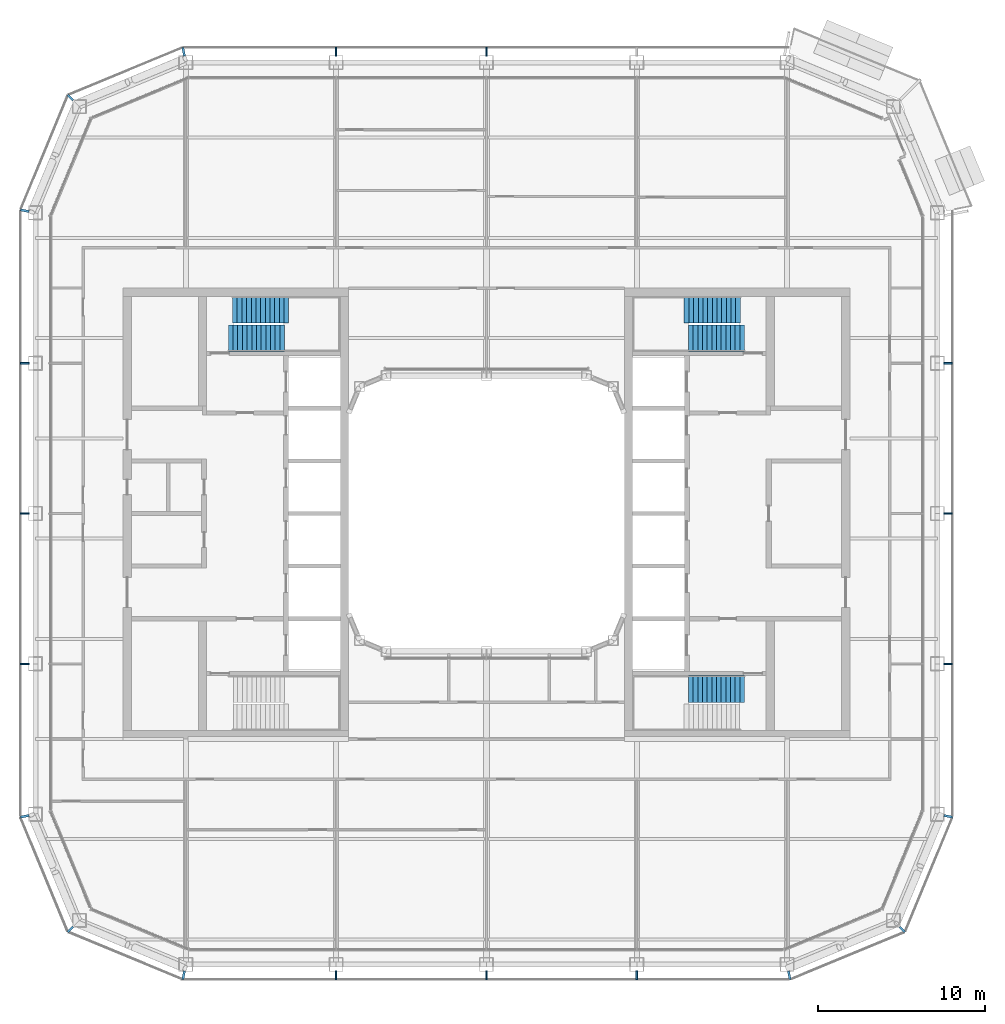
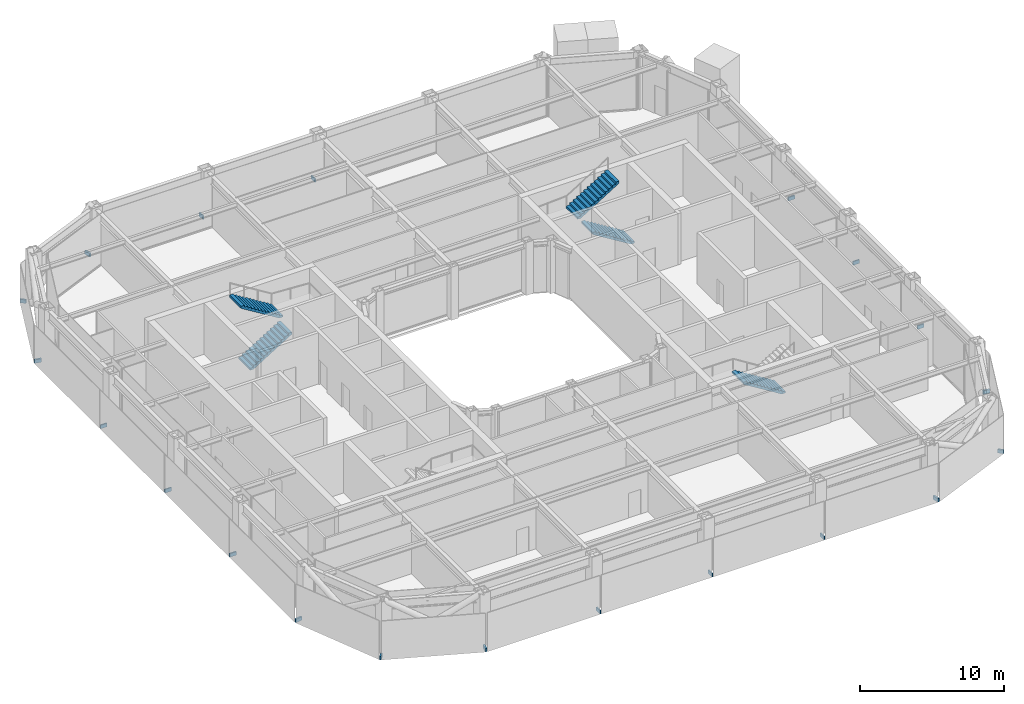
# One storey, part 16 of 23: 20 discrete accessories, 5 stair flights, 3 elements without a shape of their own.
"""IFC4 building model written with IfcOpenShell, lengths in metres."""

from ifc_helpers import new_model, si_unit, direction, frame, origin, origin_2d, place, context, subcontext, project, spatial, polyline, rectangle, outline, extrude, material, type_object, element, aggregate, save


model = new_model("IFC4")

# Units and contexts
model_context = context("Model", 3, precision=1e-05, world=origin(), true_north=direction((0.0, 1.0)))
body_context = subcontext(model_context, "Body", "Model", "MODEL_VIEW")
ifc_project = project(units=[si_unit("LENGTHUNIT", "METRE"), si_unit("AREAUNIT", "SQUARE_METRE"), si_unit("VOLUMEUNIT", "CUBIC_METRE"), si_unit("PLANEANGLEUNIT", "RADIAN"), si_unit("MASSUNIT", "GRAM", prefix="KILO")], contexts=[model_context])

# Site, building, storey
site_placement = place(None, origin())
site = spatial("IfcSite", under=ifc_project, at=site_placement, CompositionType="ELEMENT")
building_placement = place(site_placement, origin())
building = spatial("IfcBuilding", under=site, at=building_placement, Name="Siwar Civic Tower", CompositionType="ELEMENT")
storey_placement = place(building_placement, frame((0.0, 0.0, 206.199951171875)))
storey = spatial("IfcBuildingStorey", under=building, at=storey_placement, Name="L44", CompositionType="ELEMENT", Elevation=206.199951171875)

# Stair, stair flights
ifc_material_1 = material(Name="Concrete C40/50", Category="concrete")
stair_type = type_object("IfcStairType", Name="CORE-STAIR", PredefinedType="TWO_STRAIGHT_RUN_STAIR", material=ifc_material_1)
stair_1_placement = place(storey_placement, origin())
stair_1 = element("IfcStair", 1, at=stair_1_placement, inside=storey, type_object=stair_type, Name="Exit stair ST1", PredefinedType="TWO_STRAIGHT_RUN_STAIR")
ifc_material_2 = material(Name="Concrete C40/50", Category="concrete")
stair_flight_type = type_object("IfcStairFlightType", Name="CORE-STAIR-FLIGHT", PredefinedType="STRAIGHT", material=ifc_material_2)
stair_flight_1_placement = place(storey_placement, frame((-15.449951171875, 10.5, 0.0), z_axis=(0.0, 0.0, 1.0), x_axis=(1.0, 0.0, 0.0)))
stair_flight_1 = element("IfcStairFlight", 2, at=stair_flight_1_placement, type_object=stair_flight_type, Name="ST1 flight 1", NumberOfRisers=13, NumberOfTreads=12, PredefinedType="STRAIGHT", RiserHeight=0.173076923, TreadLength=0.28, context=body_context, shape_type="SweptSolid", body=[
    extrude(outline(polyline([(0.0, 0.0), (0.0, 0.173095703125), (0.280029296875, 0.173095703125), (0.280029296875, 0.34619140625), (0.56005859375, 0.34619140625), (0.56005859375, 0.519287109375), (0.840087890625, 0.519287109375), (0.840087890625, 0.6923828125), (1.1201171875, 0.6923828125), (1.1201171875, 0.865478515625), (1.39990234375, 0.865478515625), (1.39990234375, 1.03857421875), (1.679931640625, 1.03857421875), (1.679931640625, 1.21142578125), (1.9599609375, 1.21142578125), (1.9599609375, 1.384521484375), (2.239990234375, 1.384521484375), (2.239990234375, 1.5576171875), (2.52001953125, 1.5576171875), (2.52001953125, 1.730712890625), (2.800048828125, 1.730712890625), (2.800048828125, 1.90380859375), (3.080078125, 1.90380859375), (3.080078125, 2.076904296875), (3.360107421875, 2.076904296875), (3.360107421875, 2.25), (3.360107421875, 1.900634765625), (0.28515625, 0.0), (0.0, 0.0)])), frame((0.0, 0.800048828125, 0.0), z_axis=(0.0, -1.0, 0.0), x_axis=(1.0, 0.0, 0.0)), (0.0, 0.0, 1.0), 1.60009765625),
])
stair_flight_2_placement = place(storey_placement, frame((-11.840087890625, 12.199951171875, 2.25), z_axis=(0.0, 0.0, 1.0), x_axis=(-1.0, 0.0, 0.0)))
stair_flight_2 = element("IfcStairFlight", 3, at=stair_flight_2_placement, type_object=stair_flight_type, Name="ST1 flight 2", NumberOfRisers=13, NumberOfTreads=12, PredefinedType="STRAIGHT", RiserHeight=0.173076923, TreadLength=0.28, context=body_context, shape_type="SweptSolid", body=[
    extrude(outline(polyline([(0.0, 0.0), (0.0, 0.173095703125), (0.280029296875, 0.173095703125), (0.280029296875, 0.34619140625), (0.56005859375, 0.34619140625), (0.56005859375, 0.519287109375), (0.840087890625, 0.519287109375), (0.840087890625, 0.6923828125), (1.1201171875, 0.6923828125), (1.1201171875, 0.865478515625), (1.39990234375, 0.865478515625), (1.39990234375, 1.03857421875), (1.679931640625, 1.03857421875), (1.679931640625, 1.21142578125), (1.9599609375, 1.21142578125), (1.9599609375, 1.384521484375), (2.239990234375, 1.384521484375), (2.239990234375, 1.5576171875), (2.52001953125, 1.5576171875), (2.52001953125, 1.730712890625), (2.800048828125, 1.730712890625), (2.800048828125, 1.90380859375), (3.080078125, 1.90380859375), (3.080078125, 2.076904296875), (3.360107421875, 2.076904296875), (3.360107421875, 2.25), (3.360107421875, 1.900634765625), (0.28515625, 0.0), (0.0, 0.0)])), frame((0.0, 0.800048828125, 0.0), z_axis=(0.0, -1.0, 0.0), x_axis=(1.0, 0.0, 0.0)), (0.0, 0.0, 1.0), 1.60009765625),
])
aggregate(stair_1, [stair_flight_1, stair_flight_2])

stair_2_placement = place(storey_placement, origin())
stair_2 = element("IfcStair", 4, at=stair_2_placement, inside=storey, type_object=stair_type, Name="Exit stair ST3", PredefinedType="TWO_STRAIGHT_RUN_STAIR")
stair_flight_3_placement = place(storey_placement, frame((15.449951171875, 10.5, 0.0), z_axis=(0.0, 0.0, 1.0), x_axis=(-1.0, 0.0, 0.0)))
stair_flight_3 = element("IfcStairFlight", 5, at=stair_flight_3_placement, type_object=stair_flight_type, Name="ST3 flight 1", NumberOfRisers=13, NumberOfTreads=12, PredefinedType="STRAIGHT", RiserHeight=0.173076923, TreadLength=0.28, context=body_context, shape_type="SweptSolid", body=[
    extrude(outline(polyline([(0.0, 0.0), (0.0, 0.173095703125), (0.280029296875, 0.173095703125), (0.280029296875, 0.34619140625), (0.56005859375, 0.34619140625), (0.56005859375, 0.519287109375), (0.840087890625, 0.519287109375), (0.840087890625, 0.6923828125), (1.1201171875, 0.6923828125), (1.1201171875, 0.865478515625), (1.39990234375, 0.865478515625), (1.39990234375, 1.03857421875), (1.679931640625, 1.03857421875), (1.679931640625, 1.21142578125), (1.9599609375, 1.21142578125), (1.9599609375, 1.384521484375), (2.239990234375, 1.384521484375), (2.239990234375, 1.5576171875), (2.52001953125, 1.5576171875), (2.52001953125, 1.730712890625), (2.800048828125, 1.730712890625), (2.800048828125, 1.90380859375), (3.080078125, 1.90380859375), (3.080078125, 2.076904296875), (3.360107421875, 2.076904296875), (3.360107421875, 2.25), (3.360107421875, 1.900634765625), (0.28515625, 0.0), (0.0, 0.0)])), frame((0.0, 0.800048828125, 0.0), z_axis=(0.0, -1.0, 0.0), x_axis=(1.0, 0.0, 0.0)), (0.0, 0.0, 1.0), 1.60009765625),
])
stair_flight_4_placement = place(storey_placement, frame((11.840087890625, 12.199951171875, 2.25), z_axis=(0.0, 0.0, 1.0), x_axis=(1.0, 0.0, 0.0)))
stair_flight_4 = element("IfcStairFlight", 6, at=stair_flight_4_placement, type_object=stair_flight_type, Name="ST3 flight 2", NumberOfRisers=13, NumberOfTreads=12, PredefinedType="STRAIGHT", RiserHeight=0.173076923, TreadLength=0.28, context=body_context, shape_type="SweptSolid", body=[
    extrude(outline(polyline([(0.0, 0.0), (0.0, 0.173095703125), (0.280029296875, 0.173095703125), (0.280029296875, 0.34619140625), (0.56005859375, 0.34619140625), (0.56005859375, 0.519287109375), (0.840087890625, 0.519287109375), (0.840087890625, 0.6923828125), (1.1201171875, 0.6923828125), (1.1201171875, 0.865478515625), (1.39990234375, 0.865478515625), (1.39990234375, 1.03857421875), (1.679931640625, 1.03857421875), (1.679931640625, 1.21142578125), (1.9599609375, 1.21142578125), (1.9599609375, 1.384521484375), (2.239990234375, 1.384521484375), (2.239990234375, 1.5576171875), (2.52001953125, 1.5576171875), (2.52001953125, 1.730712890625), (2.800048828125, 1.730712890625), (2.800048828125, 1.90380859375), (3.080078125, 1.90380859375), (3.080078125, 2.076904296875), (3.360107421875, 2.076904296875), (3.360107421875, 2.25), (3.360107421875, 1.900634765625), (0.28515625, 0.0), (0.0, 0.0)])), frame((0.0, 0.800048828125, 0.0), z_axis=(0.0, -1.0, 0.0), x_axis=(1.0, 0.0, 0.0)), (0.0, 0.0, 1.0), 1.60009765625),
])
aggregate(stair_2, [stair_flight_3, stair_flight_4])

# Stair, stair flight
stair_3_placement = place(storey_placement, origin())
stair_3 = element("IfcStair", 7, at=stair_3_placement, inside=storey, type_object=stair_type, Name="Exit stair ST4", PredefinedType="TWO_STRAIGHT_RUN_STAIR")
stair_flight_5_placement = place(storey_placement, frame((15.449951171875, -10.5, 0.0), z_axis=(0.0, 0.0, 1.0), x_axis=(-1.0, 0.0, 0.0)))
stair_flight_5 = element("IfcStairFlight", 8, at=stair_flight_5_placement, type_object=stair_flight_type, Name="ST4 flight 1", NumberOfRisers=13, NumberOfTreads=12, PredefinedType="STRAIGHT", RiserHeight=0.173076923, TreadLength=0.28, context=body_context, shape_type="SweptSolid", body=[
    extrude(outline(polyline([(0.0, 0.0), (0.0, 0.173095703125), (0.280029296875, 0.173095703125), (0.280029296875, 0.34619140625), (0.56005859375, 0.34619140625), (0.56005859375, 0.519287109375), (0.840087890625, 0.519287109375), (0.840087890625, 0.6923828125), (1.1201171875, 0.6923828125), (1.1201171875, 0.865478515625), (1.39990234375, 0.865478515625), (1.39990234375, 1.03857421875), (1.679931640625, 1.03857421875), (1.679931640625, 1.21142578125), (1.9599609375, 1.21142578125), (1.9599609375, 1.384521484375), (2.239990234375, 1.384521484375), (2.239990234375, 1.5576171875), (2.52001953125, 1.5576171875), (2.52001953125, 1.730712890625), (2.800048828125, 1.730712890625), (2.800048828125, 1.90380859375), (3.080078125, 1.90380859375), (3.080078125, 2.076904296875), (3.360107421875, 2.076904296875), (3.360107421875, 2.25), (3.360107421875, 1.900634765625), (0.28515625, 0.0), (0.0, 0.0)])), frame((0.0, 0.800048828125, 0.0), z_axis=(0.0, -1.0, 0.0), x_axis=(1.0, 0.0, 0.0)), (0.0, 0.0, 1.0), 1.60009765625),
])
aggregate(stair_3, [stair_flight_5])

# Discrete accessories
ifc_material_3 = material(Name="Stainless steel 316", Category="steel")
discrete_accessory_type = type_object("IfcDiscreteAccessoryType", Name="ENV-BRACKET", PredefinedType="BRACKET", material=ifc_material_3)
for number, where, z_axis, x_axis, name in (
    (9, (27.639892578125, -9.0, -0.14990234375), (0.0, 0.0, 1.0), (1.0, 0.0, 0.0), "Bracket outer skin joint E-01"),
    (10, (27.639892578125, 0.0, -0.14990234375), (0.0, 0.0, 1.0), (1.0, 0.0, 0.0), "Bracket outer skin joint E-02"),
    (11, (27.639892578125, 9.0, -0.14990234375), (0.0, 0.0, 1.0), (1.0, 0.0, 0.0), "Bracket outer skin joint E-03"),
    (12, (0.0, 27.639892578125, -0.14990234375), (0.0, 0.0, 1.0), (0.0, 1.0, 0.0), "Bracket outer skin joint N-02"),
    (13, (-9.0, 27.639892578125, -0.14990234375), (0.0, 0.0, 1.0), (0.0, 1.0, 0.0), "Bracket outer skin joint N-03"),
    (14, (-9.0, -27.639892578125, -0.14990234375), (0.0, 0.0, 1.0), (0.0, -1.0, 0.0), "Bracket outer skin joint S-01"),
    (15, (0.0, -27.639892578125, -0.14990234375), (0.0, 0.0, 1.0), (0.0, -1.0, 0.0), "Bracket outer skin joint S-02"),
    (16, (9.0, -27.639892578125, -0.14990234375), (0.0, 0.0, 1.0), (0.0, -1.0, 0.0), "Bracket outer skin joint S-03"),
):
    element("IfcDiscreteAccessory", number, at=place(storey_placement, frame(where, z_axis=z_axis, x_axis=x_axis)), inside=storey, type_object=discrete_accessory_type, Name=name, PredefinedType="BRACKET", context=body_context, shape_type="SweptSolid", body=[
        extrude(rectangle(XDim=0.52001953125, YDim=0.10009765625, at=origin_2d()), origin(), (0.0, 0.0, 1.0), 0.300048828125),
    ])
for number, where, z_axis, x_axis, name in (
    (17, (-18.12744140625, -27.64013671875, -0.14990234375), (0.0, 0.0, 1.0), (-0.195090322016, -0.980785280403, 0.0), "Bracket outer skin joint V00"),
    (18, (18.12744140625, -27.64013671875, -0.14990234375), (0.0, 0.0, 1.0), (0.195090322016, -0.980785280403, 0.0), "Bracket outer skin joint V01"),
):
    element("IfcDiscreteAccessory", number, at=place(storey_placement, frame(where, z_axis=z_axis, x_axis=x_axis)), inside=storey, type_object=discrete_accessory_type, Name=name, PredefinedType="BRACKET", context=body_context, shape_type="SweptSolid", body=[
        extrude(rectangle(XDim=0.52978515625, YDim=0.13720703125, at=origin_2d()), origin(), (0.0, 0.0, 1.0), 0.300048828125),
    ])
discrete_accessory_1_placement = place(storey_placement, frame((24.9013671875, -24.9013671875, -0.14990234375), z_axis=(0.0, 0.0, 1.0), x_axis=(0.707106781187, -0.707106781187, 0.0)))
element("IfcDiscreteAccessory", 19, at=discrete_accessory_1_placement, inside=storey, type_object=discrete_accessory_type, Name="Bracket outer skin joint V02", PredefinedType="BRACKET", context=body_context, shape_type="SweptSolid", body=[
    extrude(rectangle(XDim=0.428466796875, YDim=0.12939453125, at=origin_2d()), origin(), (0.0, 0.0, 1.0), 0.300048828125),
])
for number, where, z_axis, x_axis, name in (
    (20, (27.64013671875, -18.12744140625, -0.14990234375), (0.0, 0.0, 1.0), (0.980785280403, -0.195090322016, 0.0), "Bracket outer skin joint V03"),
    (21, (-18.12744140625, 27.64013671875, -0.14990234375), (0.0, 0.0, 1.0), (-0.195090322016, 0.980785280403, 0.0), "Bracket outer skin joint V07"),
):
    element("IfcDiscreteAccessory", number, at=place(storey_placement, frame(where, z_axis=z_axis, x_axis=x_axis)), inside=storey, type_object=discrete_accessory_type, Name=name, PredefinedType="BRACKET", context=body_context, shape_type="SweptSolid", body=[
        extrude(rectangle(XDim=0.52978515625, YDim=0.13720703125, at=origin_2d()), origin(), (0.0, 0.0, 1.0), 0.300048828125),
    ])
discrete_accessory_2_placement = place(storey_placement, frame((-24.9013671875, 24.9013671875, -0.14990234375), z_axis=(0.0, 0.0, 1.0), x_axis=(-0.707106781187, 0.707106781187, 0.0)))
element("IfcDiscreteAccessory", 22, at=discrete_accessory_2_placement, inside=storey, type_object=discrete_accessory_type, Name="Bracket outer skin joint V08", PredefinedType="BRACKET", context=body_context, shape_type="SweptSolid", body=[
    extrude(rectangle(XDim=0.428466796875, YDim=0.12939453125, at=origin_2d()), origin(), (0.0, 0.0, 1.0), 0.300048828125),
])
for number, where, z_axis, x_axis, name in (
    (23, (-27.64013671875, 18.12744140625, -0.14990234375), (0.0, 0.0, 1.0), (-0.980785280403, 0.195090322016, 0.0), "Bracket outer skin joint V09"),
    (24, (-27.64013671875, -18.12744140625, -0.14990234375), (0.0, 0.0, 1.0), (-0.980785280403, -0.195090322016, 0.0), "Bracket outer skin joint V10"),
):
    element("IfcDiscreteAccessory", number, at=place(storey_placement, frame(where, z_axis=z_axis, x_axis=x_axis)), inside=storey, type_object=discrete_accessory_type, Name=name, PredefinedType="BRACKET", context=body_context, shape_type="SweptSolid", body=[
        extrude(rectangle(XDim=0.52978515625, YDim=0.13720703125, at=origin_2d()), origin(), (0.0, 0.0, 1.0), 0.300048828125),
    ])
discrete_accessory_3_placement = place(storey_placement, frame((-24.9013671875, -24.9013671875, -0.14990234375), z_axis=(0.0, 0.0, 1.0), x_axis=(-0.707106781187, -0.707106781187, 0.0)))
element("IfcDiscreteAccessory", 25, at=discrete_accessory_3_placement, inside=storey, type_object=discrete_accessory_type, Name="Bracket outer skin joint V11", PredefinedType="BRACKET", context=body_context, shape_type="SweptSolid", body=[
    extrude(rectangle(XDim=0.428466796875, YDim=0.12939453125, at=origin_2d()), origin(), (0.0, 0.0, 1.0), 0.300048828125),
])
for number, where, z_axis, x_axis, name in (
    (26, (-27.639892578125, 9.0, -0.14990234375), (0.0, 0.0, 1.0), (-1.0, 0.0, 0.0), "Bracket outer skin joint W-01"),
    (27, (-27.639892578125, 0.0, -0.14990234375), (0.0, 0.0, 1.0), (-1.0, 0.0, 0.0), "Bracket outer skin joint W-02"),
    (28, (-27.639892578125, -9.0, -0.14990234375), (0.0, 0.0, 1.0), (-1.0, 0.0, 0.0), "Bracket outer skin joint W-03"),
):
    element("IfcDiscreteAccessory", number, at=place(storey_placement, frame(where, z_axis=z_axis, x_axis=x_axis)), inside=storey, type_object=discrete_accessory_type, Name=name, PredefinedType="BRACKET", context=body_context, shape_type="SweptSolid", body=[
        extrude(rectangle(XDim=0.52001953125, YDim=0.10009765625, at=origin_2d()), origin(), (0.0, 0.0, 1.0), 0.300048828125),
    ])

save(model, "model.ifc")
